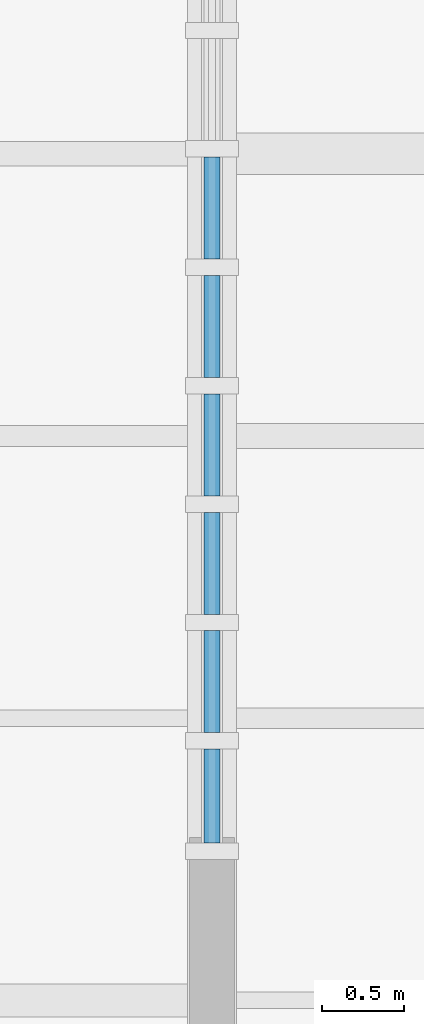
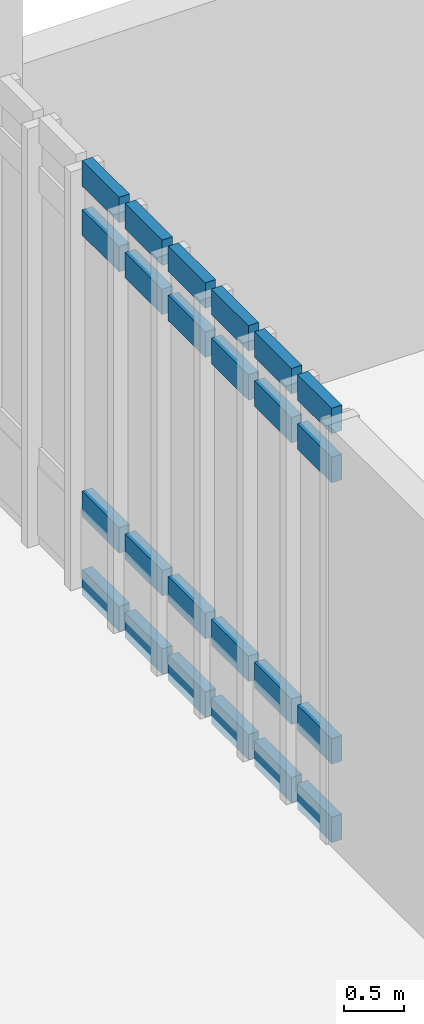
# One storey, part 42 of 111: 24 members, 1 element without a shape of its own.
"""IFC4 building model written with IfcOpenShell, lengths in metres."""

from ifc_helpers import new_model, si_unit, direction, frame, origin, origin_2d, place, context, subcontext, project, spatial, rectangle, extrude, material, material_profile, profile_set, type_object, element, aggregate, save


model = new_model("IFC4")

# Units and contexts
model_context = context("Model", 3, precision=1e-05, world=origin(), true_north=direction((0.0, 1.0)))
body_context = subcontext(model_context, "Body", "Model", "MODEL_VIEW")
ifc_project = project(units=[si_unit("LENGTHUNIT", "METRE"), si_unit("AREAUNIT", "SQUARE_METRE"), si_unit("VOLUMEUNIT", "CUBIC_METRE"), si_unit("PLANEANGLEUNIT", "RADIAN"), si_unit("MASSUNIT", "GRAM", prefix="KILO")], contexts=[model_context])

# Site, building, storey
site_placement = place(None, origin())
site = spatial("IfcSite", under=ifc_project, at=site_placement, CompositionType="ELEMENT")
building_placement = place(site_placement, origin())
building = spatial("IfcBuilding", under=site, at=building_placement, Name="Larkvane Passage Sports Hall", CompositionType="ELEMENT")
storey_placement = place(building_placement, origin())
storey = spatial("IfcBuildingStorey", under=building, at=storey_placement, Name="L00", CompositionType="ELEMENT", Elevation=0.0)

# Curtain wall, members
ifc_material_1 = material(Name="Thermally broken aluminium and low-E glazing", Category="aluminium")
curtain_wall_type = type_object("IfcCurtainWallType", Name="CW-CLINIC", PredefinedType="USERDEFINED", material=ifc_material_1)
curtain_wall_placement = place(storey_placement, origin())
curtain_wall = element("IfcCurtainWall", 1, at=curtain_wall_placement, inside=storey, type_object=curtain_wall_type, Name="Curtain wall CW5-L00-019", ObjectType="UNITISED CURTAIN WALL", PredefinedType="USERDEFINED")
ifc_material_2 = material(Name="Anodised aluminium 6063-T6", Category="aluminium")
ifc_material_profile = material_profile(ifc_material_2, rectangle(XDim=0.10009765625, YDim=0.260009765625, at=origin_2d()), Name="ALU-TRN-100x260")
ifc_profile_set = profile_set([ifc_material_profile], Name="Anodised aluminium 6063-T6")
member_type = type_object("IfcMemberType", Name="CW-TRN-100x260", PredefinedType="USERDEFINED", material=ifc_profile_set)
member_1_placement = place(storey_placement, frame((118.0, 57.699951171875, 0.050048828125), z_axis=(0.0, 1.0, 0.0), x_axis=(-1.0, 0.0, 0.0)))
member_1 = element("IfcMember", 2, at=member_1_placement, type_object=member_type, Name="CW-05 transom 1.1", ObjectType="TRANSOM", PredefinedType="USERDEFINED", context=body_context, shape_type="SweptSolid", body=[
    extrude(rectangle(XDim=0.10009765625, YDim=0.260009765625, at=origin_2d()), origin(), (0.0, 0.0, 1.0), 0.5693359375),
])
member_2_placement = place(storey_placement, frame((118.0, 57.699951171875, 0.85009765625), z_axis=(0.0, 1.0, 0.0), x_axis=(-1.0, 0.0, 0.0)))
member_2 = element("IfcMember", 3, at=member_2_placement, type_object=member_type, Name="CW-05 transom 1.2", ObjectType="TRANSOM", PredefinedType="USERDEFINED", context=body_context, shape_type="SweptSolid", body=[
    extrude(rectangle(XDim=0.10009765625, YDim=0.260009765625, at=origin_2d()), origin(), (0.0, 0.0, 1.0), 0.5693359375),
])
member_3_placement = place(storey_placement, frame((118.0, 57.699951171875, 3.718017578125), z_axis=(0.0, 1.0, 0.0), x_axis=(-1.0, 0.0, 0.0)))
member_3 = element("IfcMember", 4, at=member_3_placement, type_object=member_type, Name="CW-05 transom 1.3", ObjectType="TRANSOM", PredefinedType="USERDEFINED", context=body_context, shape_type="SweptSolid", body=[
    extrude(rectangle(XDim=0.10009765625, YDim=0.260009765625, at=origin_2d()), origin(), (0.0, 0.0, 1.0), 0.5693359375),
])
member_4_placement = place(storey_placement, frame((118.0, 57.699951171875, 4.218017578125), z_axis=(0.0, 1.0, 0.0), x_axis=(-1.0, 0.0, 0.0)))
member_4 = element("IfcMember", 5, at=member_4_placement, type_object=member_type, Name="CW-05 transom 1.4", ObjectType="TRANSOM", PredefinedType="USERDEFINED", context=body_context, shape_type="SweptSolid", body=[
    extrude(rectangle(XDim=0.10009765625, YDim=0.260009765625, at=origin_2d()), origin(), (0.0, 0.0, 1.0), 0.5693359375),
])
member_5_placement = place(storey_placement, frame((118.0, 58.369140625, 0.050048828125), z_axis=(0.0, 1.0, 0.0), x_axis=(-1.0, 0.0, 0.0)))
member_5 = element("IfcMember", 6, at=member_5_placement, type_object=member_type, Name="CW-05 transom 2.1", ObjectType="TRANSOM", PredefinedType="USERDEFINED", context=body_context, shape_type="SweptSolid", body=[
    extrude(rectangle(XDim=0.10009765625, YDim=0.260009765625, at=origin_2d()), origin(), (0.0, 0.0, 1.0), 0.619384765625),
])
member_6_placement = place(storey_placement, frame((118.0, 58.369140625, 0.85009765625), z_axis=(0.0, 1.0, 0.0), x_axis=(-1.0, 0.0, 0.0)))
member_6 = element("IfcMember", 7, at=member_6_placement, type_object=member_type, Name="CW-05 transom 2.2", ObjectType="TRANSOM", PredefinedType="USERDEFINED", context=body_context, shape_type="SweptSolid", body=[
    extrude(rectangle(XDim=0.10009765625, YDim=0.260009765625, at=origin_2d()), origin(), (0.0, 0.0, 1.0), 0.619384765625),
])
member_7_placement = place(storey_placement, frame((118.0, 58.369140625, 3.718017578125), z_axis=(0.0, 1.0, 0.0), x_axis=(-1.0, 0.0, 0.0)))
member_7 = element("IfcMember", 8, at=member_7_placement, type_object=member_type, Name="CW-05 transom 2.3", ObjectType="TRANSOM", PredefinedType="USERDEFINED", context=body_context, shape_type="SweptSolid", body=[
    extrude(rectangle(XDim=0.10009765625, YDim=0.260009765625, at=origin_2d()), origin(), (0.0, 0.0, 1.0), 0.619384765625),
])
member_8_placement = place(storey_placement, frame((118.0, 58.369140625, 4.218017578125), z_axis=(0.0, 1.0, 0.0), x_axis=(-1.0, 0.0, 0.0)))
member_8 = element("IfcMember", 9, at=member_8_placement, type_object=member_type, Name="CW-05 transom 2.4", ObjectType="TRANSOM", PredefinedType="USERDEFINED", context=body_context, shape_type="SweptSolid", body=[
    extrude(rectangle(XDim=0.10009765625, YDim=0.260009765625, at=origin_2d()), origin(), (0.0, 0.0, 1.0), 0.619384765625),
])
member_9_placement = place(storey_placement, frame((118.0, 59.08837890625, 0.050048828125), z_axis=(0.0, 1.0, 0.0), x_axis=(-1.0, 0.0, 0.0)))
member_9 = element("IfcMember", 10, at=member_9_placement, type_object=member_type, Name="CW-05 transom 3.1", ObjectType="TRANSOM", PredefinedType="USERDEFINED", context=body_context, shape_type="SweptSolid", body=[
    extrude(rectangle(XDim=0.10009765625, YDim=0.260009765625, at=origin_2d()), origin(), (0.0, 0.0, 1.0), 0.619384765625),
])
member_10_placement = place(storey_placement, frame((118.0, 59.08837890625, 0.85009765625), z_axis=(0.0, 1.0, 0.0), x_axis=(-1.0, 0.0, 0.0)))
member_10 = element("IfcMember", 11, at=member_10_placement, type_object=member_type, Name="CW-05 transom 3.2", ObjectType="TRANSOM", PredefinedType="USERDEFINED", context=body_context, shape_type="SweptSolid", body=[
    extrude(rectangle(XDim=0.10009765625, YDim=0.260009765625, at=origin_2d()), origin(), (0.0, 0.0, 1.0), 0.619384765625),
])
member_11_placement = place(storey_placement, frame((118.0, 59.08837890625, 3.718017578125), z_axis=(0.0, 1.0, 0.0), x_axis=(-1.0, 0.0, 0.0)))
member_11 = element("IfcMember", 12, at=member_11_placement, type_object=member_type, Name="CW-05 transom 3.3", ObjectType="TRANSOM", PredefinedType="USERDEFINED", context=body_context, shape_type="SweptSolid", body=[
    extrude(rectangle(XDim=0.10009765625, YDim=0.260009765625, at=origin_2d()), origin(), (0.0, 0.0, 1.0), 0.619384765625),
])
member_12_placement = place(storey_placement, frame((118.0, 59.08837890625, 4.218017578125), z_axis=(0.0, 1.0, 0.0), x_axis=(-1.0, 0.0, 0.0)))
member_12 = element("IfcMember", 13, at=member_12_placement, type_object=member_type, Name="CW-05 transom 3.4", ObjectType="TRANSOM", PredefinedType="USERDEFINED", context=body_context, shape_type="SweptSolid", body=[
    extrude(rectangle(XDim=0.10009765625, YDim=0.260009765625, at=origin_2d()), origin(), (0.0, 0.0, 1.0), 0.619384765625),
])
member_13_placement = place(storey_placement, frame((118.0, 59.807861328125, 0.050048828125), z_axis=(0.0, 1.0, 0.0), x_axis=(-1.0, 0.0, 0.0)))
member_13 = element("IfcMember", 14, at=member_13_placement, type_object=member_type, Name="CW-05 transom 4.1", ObjectType="TRANSOM", PredefinedType="USERDEFINED", context=body_context, shape_type="SweptSolid", body=[
    extrude(rectangle(XDim=0.10009765625, YDim=0.260009765625, at=origin_2d()), origin(), (0.0, 0.0, 1.0), 0.619140625),
])
member_14_placement = place(storey_placement, frame((118.0, 59.807861328125, 0.85009765625), z_axis=(0.0, 1.0, 0.0), x_axis=(-1.0, 0.0, 0.0)))
member_14 = element("IfcMember", 15, at=member_14_placement, type_object=member_type, Name="CW-05 transom 4.2", ObjectType="TRANSOM", PredefinedType="USERDEFINED", context=body_context, shape_type="SweptSolid", body=[
    extrude(rectangle(XDim=0.10009765625, YDim=0.260009765625, at=origin_2d()), origin(), (0.0, 0.0, 1.0), 0.619140625),
])
member_15_placement = place(storey_placement, frame((118.0, 59.807861328125, 3.718017578125), z_axis=(0.0, 1.0, 0.0), x_axis=(-1.0, 0.0, 0.0)))
member_15 = element("IfcMember", 16, at=member_15_placement, type_object=member_type, Name="CW-05 transom 4.3", ObjectType="TRANSOM", PredefinedType="USERDEFINED", context=body_context, shape_type="SweptSolid", body=[
    extrude(rectangle(XDim=0.10009765625, YDim=0.260009765625, at=origin_2d()), origin(), (0.0, 0.0, 1.0), 0.619140625),
])
member_16_placement = place(storey_placement, frame((118.0, 59.807861328125, 4.218017578125), z_axis=(0.0, 1.0, 0.0), x_axis=(-1.0, 0.0, 0.0)))
member_16 = element("IfcMember", 17, at=member_16_placement, type_object=member_type, Name="CW-05 transom 4.4", ObjectType="TRANSOM", PredefinedType="USERDEFINED", context=body_context, shape_type="SweptSolid", body=[
    extrude(rectangle(XDim=0.10009765625, YDim=0.260009765625, at=origin_2d()), origin(), (0.0, 0.0, 1.0), 0.619140625),
])
member_17_placement = place(storey_placement, frame((118.0, 60.527099609375, 0.050048828125), z_axis=(0.0, 1.0, 0.0), x_axis=(-1.0, 0.0, 0.0)))
member_17 = element("IfcMember", 18, at=member_17_placement, type_object=member_type, Name="CW-05 transom 5.1", ObjectType="TRANSOM", PredefinedType="USERDEFINED", context=body_context, shape_type="SweptSolid", body=[
    extrude(rectangle(XDim=0.10009765625, YDim=0.260009765625, at=origin_2d()), origin(), (0.0, 0.0, 1.0), 0.619140625),
])
member_18_placement = place(storey_placement, frame((118.0, 60.527099609375, 0.85009765625), z_axis=(0.0, 1.0, 0.0), x_axis=(-1.0, 0.0, 0.0)))
member_18 = element("IfcMember", 19, at=member_18_placement, type_object=member_type, Name="CW-05 transom 5.2", ObjectType="TRANSOM", PredefinedType="USERDEFINED", context=body_context, shape_type="SweptSolid", body=[
    extrude(rectangle(XDim=0.10009765625, YDim=0.260009765625, at=origin_2d()), origin(), (0.0, 0.0, 1.0), 0.619140625),
])
member_19_placement = place(storey_placement, frame((118.0, 60.527099609375, 3.718017578125), z_axis=(0.0, 1.0, 0.0), x_axis=(-1.0, 0.0, 0.0)))
member_19 = element("IfcMember", 20, at=member_19_placement, type_object=member_type, Name="CW-05 transom 5.3", ObjectType="TRANSOM", PredefinedType="USERDEFINED", context=body_context, shape_type="SweptSolid", body=[
    extrude(rectangle(XDim=0.10009765625, YDim=0.260009765625, at=origin_2d()), origin(), (0.0, 0.0, 1.0), 0.619140625),
])
member_20_placement = place(storey_placement, frame((118.0, 60.527099609375, 4.218017578125), z_axis=(0.0, 1.0, 0.0), x_axis=(-1.0, 0.0, 0.0)))
member_20 = element("IfcMember", 21, at=member_20_placement, type_object=member_type, Name="CW-05 transom 5.4", ObjectType="TRANSOM", PredefinedType="USERDEFINED", context=body_context, shape_type="SweptSolid", body=[
    extrude(rectangle(XDim=0.10009765625, YDim=0.260009765625, at=origin_2d()), origin(), (0.0, 0.0, 1.0), 0.619140625),
])
member_21_placement = place(storey_placement, frame((118.0, 61.246337890625, 0.050048828125), z_axis=(0.0, 1.0, 0.0), x_axis=(-1.0, 0.0, 0.0)))
member_21 = element("IfcMember", 22, at=member_21_placement, type_object=member_type, Name="CW-05 transom 6.1", ObjectType="TRANSOM", PredefinedType="USERDEFINED", context=body_context, shape_type="SweptSolid", body=[
    extrude(rectangle(XDim=0.10009765625, YDim=0.260009765625, at=origin_2d()), origin(), (0.0, 0.0, 1.0), 0.619140625),
])
member_22_placement = place(storey_placement, frame((118.0, 61.246337890625, 0.85009765625), z_axis=(0.0, 1.0, 0.0), x_axis=(-1.0, 0.0, 0.0)))
member_22 = element("IfcMember", 23, at=member_22_placement, type_object=member_type, Name="CW-05 transom 6.2", ObjectType="TRANSOM", PredefinedType="USERDEFINED", context=body_context, shape_type="SweptSolid", body=[
    extrude(rectangle(XDim=0.10009765625, YDim=0.260009765625, at=origin_2d()), origin(), (0.0, 0.0, 1.0), 0.619140625),
])
member_23_placement = place(storey_placement, frame((118.0, 61.246337890625, 3.718017578125), z_axis=(0.0, 1.0, 0.0), x_axis=(-1.0, 0.0, 0.0)))
member_23 = element("IfcMember", 24, at=member_23_placement, type_object=member_type, Name="CW-05 transom 6.3", ObjectType="TRANSOM", PredefinedType="USERDEFINED", context=body_context, shape_type="SweptSolid", body=[
    extrude(rectangle(XDim=0.10009765625, YDim=0.260009765625, at=origin_2d()), origin(), (0.0, 0.0, 1.0), 0.619140625),
])
member_24_placement = place(storey_placement, frame((118.0, 61.246337890625, 4.218017578125), z_axis=(0.0, 1.0, 0.0), x_axis=(-1.0, 0.0, 0.0)))
member_24 = element("IfcMember", 25, at=member_24_placement, type_object=member_type, Name="CW-05 transom 6.4", ObjectType="TRANSOM", PredefinedType="USERDEFINED", context=body_context, shape_type="SweptSolid", body=[
    extrude(rectangle(XDim=0.10009765625, YDim=0.260009765625, at=origin_2d()), origin(), (0.0, 0.0, 1.0), 0.619140625),
])
aggregate(curtain_wall, [member_1, member_2, member_3, member_4, member_5, member_6, member_7, member_8, member_9, member_10, member_11, member_12, member_13, member_14, member_15, member_16, member_17, member_18, member_19, member_20, member_21, member_22, member_23, member_24])

save(model, "model.ifc")
